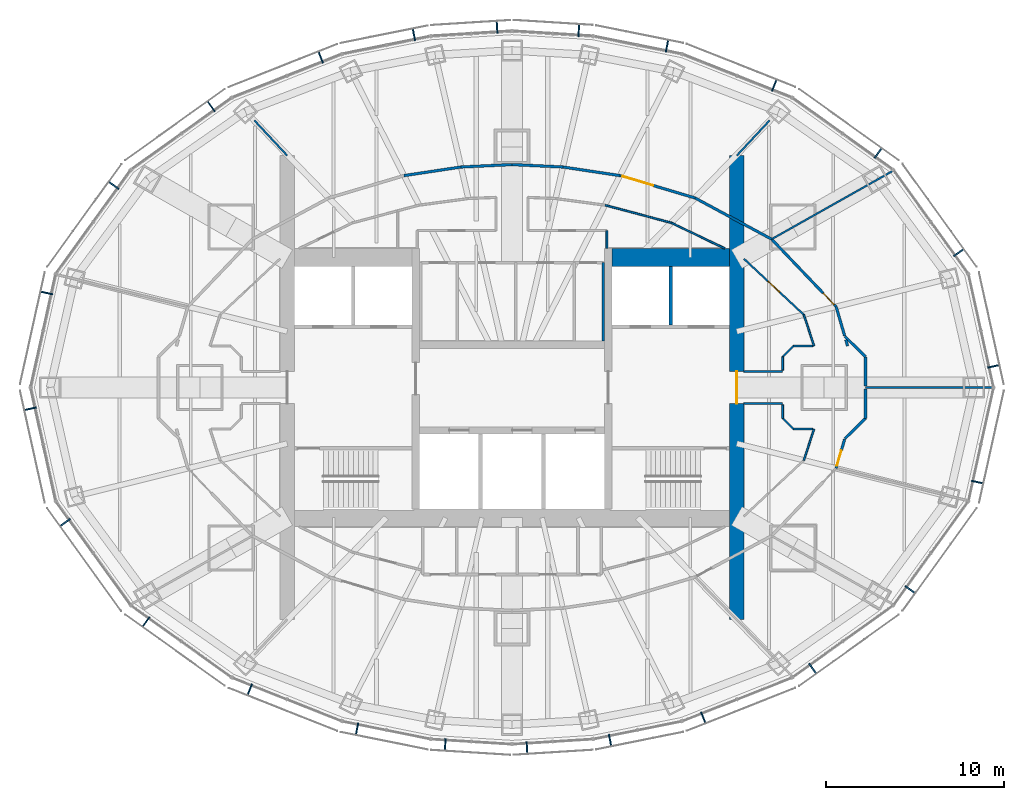
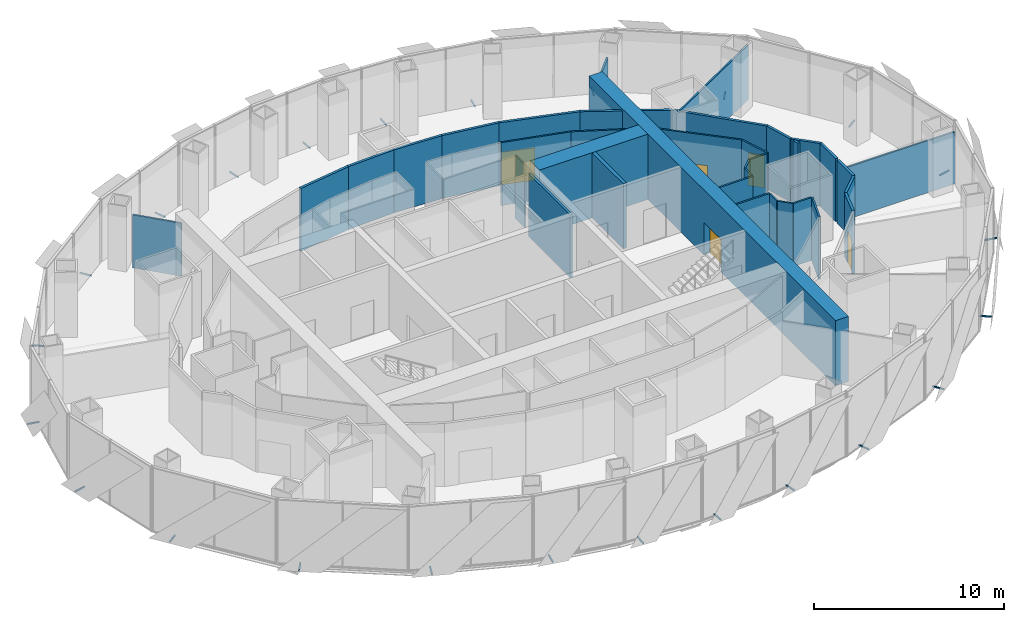
# One storey, part 14 of 17: 36 walls, 24 discrete accessories, 5 doors, 5 openings.
"""IFC4 building model written with IfcOpenShell, lengths in metres."""

from ifc_helpers import new_model, si_unit, direction, frame, frame_2d, origin, origin_2d, place, context, subcontext, project, spatial, rectangle, extrude, material, layer, layer_set, type_object, element, fill, save


model = new_model("IFC4")

# Units and contexts
model_context = context("Model", 3, precision=1e-05, world=origin(), true_north=direction((0.0, 1.0)))
body_context = subcontext(model_context, "Body", "Model", "MODEL_VIEW")
ifc_project = project(units=[si_unit("LENGTHUNIT", "METRE"), si_unit("AREAUNIT", "SQUARE_METRE"), si_unit("VOLUMEUNIT", "CUBIC_METRE"), si_unit("PLANEANGLEUNIT", "RADIAN"), si_unit("MASSUNIT", "GRAM", prefix="KILO")], contexts=[model_context])

# Site, building, storey
site_placement = place(None, origin())
site = spatial("IfcSite", under=ifc_project, at=site_placement, CompositionType="ELEMENT")
building_placement = place(site_placement, origin())
building = spatial("IfcBuilding", under=site, at=building_placement, Name="Lantaw Convention Tower", CompositionType="ELEMENT")
storey_placement = place(building_placement, frame((0.0, 0.0, 203.199951171875)))
storey = spatial("IfcBuildingStorey", under=building, at=storey_placement, Name="L47", CompositionType="ELEMENT", Elevation=203.199951171875)

# Wall
ifc_material_1 = material(Name="Concrete C60/75", Category="concrete")
ifc_layer_1 = layer(ifc_material_1, 1.0)
ifc_layer_set_1 = layer_set([ifc_layer_1], Name="Core wall 1000")
wall_type_1 = type_object("IfcWallType", Name="Core wall 1000", PredefinedType="SHEAR", material=ifc_layer_set_1)
wall_1_placement = place(storey_placement, frame((12.199951171875, 7.300048828125, 0.0), z_axis=(0.0, 0.0, 1.0), x_axis=(-1.0, 0.0, 0.0)))
element("IfcWall", 1, at=wall_1_placement, inside=storey, type_object=wall_type_1, Name="Core wall NE", PredefinedType="SHEAR", context=body_context, shape_type="SweptSolid", body=[
    extrude(rectangle(XDim=6.599853515625, YDim=1.0, at=frame_2d((3.2998046875, 0.0))), origin(), (0.0, 0.0, 1.0), 4.199951171875),
])

# Wall, opening, door
ifc_layer_2 = layer(ifc_material_1, 0.800048828125)
ifc_layer_set_2 = layer_set([ifc_layer_2], Name="Core wall 800")
wall_type_2 = type_object("IfcWallType", Name="Core wall 800", PredefinedType="SHEAR", material=ifc_layer_set_2)
wall_2_placement = place(storey_placement, frame((12.60009765625, -13.0, 0.0), z_axis=(0.0, 0.0, 1.0), x_axis=(0.0, 1.0, 0.0)))
wall_2 = element("IfcWall", 2, at=wall_2_placement, inside=storey, type_object=wall_type_2, Name="Core wall E", PredefinedType="SHEAR", context=body_context, shape_type="SweptSolid", body=[
    extrude(rectangle(XDim=26.0, YDim=0.800048828125, at=frame_2d((13.0, 0.0))), origin(), (0.0, 0.0, 1.0), 4.199951171875),
])
opening_1_placement = place(wall_2_placement, frame((12.10009765625, 0.0, 0.0)))
opening_1 = element("IfcOpeningElement", 3, at=opening_1_placement, cuts=wall_2, Name="Opening L47.05", PredefinedType="OPENING", context=body_context, shape_type="SweptSolid", body=[
    extrude(rectangle(XDim=1.800048828125, YDim=2.10009765625, at=frame_2d((0.89990234375, 1.050048828125))), frame((0.0, 0.409912109375, 0.0), z_axis=(0.0, -1.0, 0.0), x_axis=(1.0, 0.0, 0.0)), (0.0, 0.0, 1.0), 0.820068359375),
])
ifc_material_2 = material(Name="Steel, fire rated", Category="steel")
door_type_1 = type_object("IfcDoorType", Name="Lobby double door FD90", OperationType="DOUBLE_DOOR_DOUBLE_SWING", PredefinedType="DOOR", material=ifc_material_2)
door_1_placement = place(opening_1_placement, origin())
door_1 = element("IfcDoor", 4, at=door_1_placement, inside=storey, type_object=door_type_1, Name="Firefighting lobby door", OperationType="DOUBLE_DOOR_DOUBLE_SWING", OverallHeight=2.10009765625, OverallWidth=1.800048828125, PredefinedType="DOOR", context=body_context, shape_type="SweptSolid", body=[
    extrude(rectangle(XDim=1.800048828125, YDim=2.10009765625, at=frame_2d((0.89990234375, 1.050048828125))), frame((0.0, 0.02490234375, 0.0), z_axis=(0.0, -1.0, 0.0), x_axis=(1.0, 0.0, 0.0)), (0.0, 0.0, 1.0), 0.050048828125),
])
fill(opening_1, door_1)

ifc_material_3 = material(Name="Gypsum board on steel studs, fire rated", Category="steel")
ifc_layer_3 = layer(ifc_material_3, 0.14990234375)
ifc_layer_set_3 = layer_set([ifc_layer_3], Name="Corridor wall 150 EI 60")
wall_type_3 = type_object("IfcWallType", Name="Corridor wall 150 EI 60", PredefinedType="PARTITIONING", material=ifc_layer_set_3)
wall_3_placement = place(storey_placement, frame((18.173583984375, 4.53125, 0.0), z_axis=(0.0, 0.0, 1.0), x_axis=(-0.690768413292, 0.723076067366, 0.0)))
wall_3 = element("IfcWall", 5, at=wall_3_placement, inside=storey, type_object=wall_type_3, Name="Corridor wall 150", PredefinedType="PARTITIONING", context=body_context, shape_type="SweptSolid", body=[
    extrude(rectangle(XDim=5.23681640625, YDim=0.14990234375, at=frame_2d((2.618408203125, 0.0))), origin(), (0.0, 0.0, 1.0), 4.050048828125),
])
opening_2_placement = place(wall_3_placement, frame((0.14990234375, 0.0, 0.0)))
opening_2 = element("IfcOpeningElement", 6, at=opening_2_placement, cuts=wall_3, Name="Opening L47.31", PredefinedType="OPENING", context=body_context, shape_type="SweptSolid", body=[
    extrude(rectangle(XDim=0.89990234375, YDim=2.10009765625, at=frame_2d((0.449951171875, 1.050048828125))), frame((0.0, 0.0849609375, 0.0), z_axis=(0.0, -1.0, 0.0), x_axis=(1.0, 0.0, 0.0)), (0.0, 0.0, 1.0), 0.169921875),
])
door_type_2 = type_object("IfcDoorType", Name="Office door 900 FD30", OperationType="SINGLE_SWING_LEFT", PredefinedType="DOOR", material=ifc_material_2)
door_2_placement = place(opening_2_placement, origin())
door_2 = element("IfcDoor", 7, at=door_2_placement, inside=storey, type_object=door_type_2, Name="Reception door", OperationType="SINGLE_SWING_LEFT", OverallHeight=2.10009765625, OverallWidth=0.89990234375, PredefinedType="DOOR", context=body_context, shape_type="SweptSolid", body=[
    extrude(rectangle(XDim=0.89990234375, YDim=2.10009765625, at=frame_2d((0.449951171875, 1.050048828125))), frame((0.0, 0.02490234375, 0.0), z_axis=(0.0, -1.0, 0.0), x_axis=(1.0, 0.0, 0.0)), (0.0, 0.0, 1.0), 0.050048828125),
])
fill(opening_2, door_2)

# Wall
wall_4_placement = place(storey_placement, frame((14.55615234375, 8.31787109375, 0.0), z_axis=(0.0, 0.0, 1.0), x_axis=(-0.88053863253, 0.47397438393, 0.0)))
element("IfcWall", 8, at=wall_4_placement, inside=storey, type_object=wall_type_3, Name="Corridor wall 150", PredefinedType="PARTITIONING", context=body_context, shape_type="SweptSolid", body=[
    extrude(rectangle(XDim=4.874755859375, YDim=0.14990234375, at=frame_2d((2.4375, 0.0))), origin(), (0.0, 0.0, 1.0), 4.050048828125),
])

# Wall, opening, door
wall_5_placement = place(storey_placement, frame((10.263671875, 10.62841796875, 0.0), z_axis=(0.0, 0.0, 1.0), x_axis=(-0.958384389306, 0.285480931648, 0.0)))
wall_5 = element("IfcWall", 9, at=wall_5_placement, inside=storey, type_object=wall_type_3, Name="Corridor wall 150", PredefinedType="PARTITIONING", context=body_context, shape_type="SweptSolid", body=[
    extrude(rectangle(XDim=4.392333984375, YDim=0.14990234375, at=frame_2d((2.1962890625, 0.0))), origin(), (0.0, 0.0, 1.0), 4.050048828125),
])
opening_3_placement = place(wall_5_placement, frame((2.442138671875, 0.0, 0.0)))
opening_3 = element("IfcOpeningElement", 10, at=opening_3_placement, cuts=wall_5, Name="Opening L47.32", PredefinedType="OPENING", context=body_context, shape_type="SweptSolid", body=[
    extrude(rectangle(XDim=1.800048828125, YDim=2.10009765625, at=frame_2d((0.89990234375, 1.050048828125))), frame((0.0, 0.0849609375, 0.0), z_axis=(0.0, -1.0, 0.0), x_axis=(1.0, 0.0, 0.0)), (0.0, 0.0, 1.0), 0.169921875),
])
door_type_3 = type_object("IfcDoorType", Name="Office double door 1800 FD30", OperationType="DOUBLE_DOOR_DOUBLE_SWING", PredefinedType="DOOR", material=ifc_material_2)
door_3_placement = place(opening_3_placement, origin())
door_3 = element("IfcDoor", 11, at=door_3_placement, inside=storey, type_object=door_type_3, Name="Open office door", OperationType="DOUBLE_DOOR_DOUBLE_SWING", OverallHeight=2.10009765625, OverallWidth=1.800048828125, PredefinedType="DOOR", context=body_context, shape_type="SweptSolid", body=[
    extrude(rectangle(XDim=1.800048828125, YDim=2.10009765625, at=frame_2d((0.89990234375, 1.050048828125))), frame((0.0, 0.02490234375, 0.0), z_axis=(0.0, -1.0, 0.0), x_axis=(1.0, 0.0, 0.0)), (0.0, 0.0, 1.0), 0.050048828125),
])
fill(opening_3, door_3)

# Walls
wall_6_placement = place(storey_placement, frame((6.05419921875, 11.88232421875, 0.0), z_axis=(0.0, 0.0, 1.0), x_axis=(-0.988800347251, 0.149244340852, 0.0)))
element("IfcWall", 12, at=wall_6_placement, inside=storey, type_object=wall_type_3, Name="Corridor wall 150", PredefinedType="PARTITIONING", context=body_context, shape_type="SweptSolid", body=[
    extrude(rectangle(XDim=3.235595703125, YDim=0.14990234375, at=frame_2d((1.61767578125, 0.0))), origin(), (0.0, 0.0, 1.0), 4.050048828125),
])
for number, where, z_axis, x_axis, name in (
    (13, (2.854736328125, 12.365234375, 0.0), (0.0, 0.0, 1.0), (-0.998887574055, 0.047155216016, 0.0), "Corridor wall 150"),
    (14, (0.0, 12.5, 0.0), (0.0, 0.0, 1.0), (-0.998887574055, -0.047155216016, 0.0), "Corridor wall 150"),
):
    element("IfcWall", number, at=place(storey_placement, frame(where, z_axis=z_axis, x_axis=x_axis)), inside=storey, type_object=wall_type_3, Name=name, PredefinedType="PARTITIONING", context=body_context, shape_type="SweptSolid", body=[
        extrude(rectangle(XDim=2.85791015625, YDim=0.14990234375, at=frame_2d((1.428955078125, 0.0))), origin(), (0.0, 0.0, 1.0), 4.050048828125),
    ])
wall_7_placement = place(storey_placement, frame((-2.854736328125, 12.365234375, 0.0), z_axis=(0.0, 0.0, 1.0), x_axis=(-0.988800347251, -0.149244340852, 0.0)))
element("IfcWall", 15, at=wall_7_placement, inside=storey, type_object=wall_type_3, Name="Corridor wall 150", PredefinedType="PARTITIONING", context=body_context, shape_type="SweptSolid", body=[
    extrude(rectangle(XDim=3.235595703125, YDim=0.14990234375, at=frame_2d((1.61767578125, 0.0))), origin(), (0.0, 0.0, 1.0), 4.050048828125),
])
wall_8_placement = place(storey_placement, frame((18.653076171875, 2.893798828125, 0.0), z_axis=(0.0, 0.0, 1.0), x_axis=(-0.281027335084, 0.959699763955, 0.0)))
element("IfcWall", 16, at=wall_8_placement, inside=storey, type_object=wall_type_3, Name="Corridor wall 150", PredefinedType="PARTITIONING", context=body_context, shape_type="SweptSolid", body=[
    extrude(rectangle(XDim=1.706298828125, YDim=0.14990234375, at=frame_2d((0.85302734375, 0.0))), origin(), (0.0, 0.0, 1.0), 4.050048828125),
])

# Wall, opening, door
wall_9_placement = place(storey_placement, frame((18.173583984375, -4.53125, 0.0), z_axis=(0.0, 0.0, 1.0), x_axis=(0.281027335084, 0.959699763955, 0.0)))
wall_9 = element("IfcWall", 17, at=wall_9_placement, inside=storey, type_object=wall_type_3, Name="Corridor wall 150", PredefinedType="PARTITIONING", context=body_context, shape_type="SweptSolid", body=[
    extrude(rectangle(XDim=1.706298828125, YDim=0.14990234375, at=frame_2d((0.85302734375, 0.0))), origin(), (0.0, 0.0, 1.0), 4.050048828125),
])
opening_4_placement = place(wall_9_placement, frame((0.14990234375, 0.0, 0.0)))
opening_4 = element("IfcOpeningElement", 18, at=opening_4_placement, cuts=wall_9, Name="Opening L47.37", PredefinedType="OPENING", context=body_context, shape_type="SweptSolid", body=[
    extrude(rectangle(XDim=0.89990234375, YDim=2.10009765625, at=frame_2d((0.449951171875, 1.050048828125))), frame((0.0, 0.0849609375, 0.0), z_axis=(0.0, -1.0, 0.0), x_axis=(1.0, 0.0, 0.0)), (0.0, 0.0, 1.0), 0.169921875),
])
door_4_placement = place(opening_4_placement, origin())
door_4 = element("IfcDoor", 19, at=door_4_placement, inside=storey, type_object=door_type_2, Name="Meeting room door", OperationType="SINGLE_SWING_LEFT", OverallHeight=2.10009765625, OverallWidth=0.89990234375, PredefinedType="DOOR", context=body_context, shape_type="SweptSolid", body=[
    extrude(rectangle(XDim=0.89990234375, YDim=2.10009765625, at=frame_2d((0.449951171875, 1.050048828125))), frame((0.0, 0.02490234375, 0.0), z_axis=(0.0, -1.0, 0.0), x_axis=(1.0, 0.0, 0.0)), (0.0, 0.0, 1.0), 0.050048828125),
])
fill(opening_4, door_4)

# Walls
wall_10_placement = place(storey_placement, frame((18.666259765625, 2.866455078125, 0.0), z_axis=(0.0, 0.0, 1.0), x_axis=(0.712265481509, -0.701910167935, 0.0)))
element("IfcWall", 20, at=wall_10_placement, inside=storey, type_object=wall_type_3, Name="Corridor wall 150", PredefinedType="PARTITIONING", context=body_context, shape_type="SweptSolid", body=[
    extrude(rectangle(XDim=1.626708984375, YDim=0.14990234375, at=frame_2d((0.8134765625, 0.0))), origin(), (0.0, 0.0, 1.0), 4.050048828125),
])
for number, where, z_axis, x_axis, name in (
    (21, (19.824951171875, 1.724609375, 0.0), (0.0, 0.0, 1.0), (0.0, -1.0, 0.0), "Corridor wall 150"),
    (22, (19.824951171875, -0.078125, 0.0), (0.0, 0.0, 1.0), (0.0, -1.0, 0.0), "Corridor wall 150"),
):
    element("IfcWall", number, at=place(storey_placement, frame(where, z_axis=z_axis, x_axis=x_axis)), inside=storey, type_object=wall_type_3, Name=name, PredefinedType="PARTITIONING", context=body_context, shape_type="SweptSolid", body=[
        extrude(rectangle(XDim=1.646484375, YDim=0.14990234375, at=frame_2d((0.8232421875, 0.0))), origin(), (0.0, 0.0, 1.0), 4.050048828125),
    ])
wall_11_placement = place(storey_placement, frame((19.824951171875, -1.724609375, 0.0), z_axis=(0.0, 0.0, 1.0), x_axis=(-0.712265481509, -0.701910167935, 0.0)))
element("IfcWall", 23, at=wall_11_placement, inside=storey, type_object=wall_type_3, Name="Corridor wall 150", PredefinedType="PARTITIONING", context=body_context, shape_type="SweptSolid", body=[
    extrude(rectangle(XDim=1.626708984375, YDim=0.14990234375, at=frame_2d((0.8134765625, 0.0))), origin(), (0.0, 0.0, 1.0), 4.050048828125),
])
wall_12_placement = place(storey_placement, frame((18.819580078125, 2.324951171875, 0.0), z_axis=(0.0, 0.0, 1.0), x_axis=(-0.281366391393, 0.959600413607, 0.0)))
element("IfcWall", 24, at=wall_12_placement, inside=storey, type_object=wall_type_3, Name="Corridor wall 150", PredefinedType="PARTITIONING", context=body_context, shape_type="SweptSolid", body=[
    extrude(rectangle(XDim=0.363525390625, YDim=0.14990234375, at=frame_2d((0.181640625, 0.0))), origin(), (0.0, 0.0, 1.0), 4.050048828125),
])
ifc_material_4 = material(Name="Gypsum board on steel studs, acoustic", Category="steel")
ifc_layer_4 = layer(ifc_material_4, 0.10009765625)
ifc_layer_set_4 = layer_set([ifc_layer_4], Name="Office partition 100")
wall_type_4 = type_object("IfcWallType", Name="Office partition 100", PredefinedType="PARTITIONING", material=ifc_layer_set_4)
wall_13_placement = place(storey_placement, frame((21.3583984375, 12.149658203125, 0.0), z_axis=(0.0, 0.0, 1.0), x_axis=(-0.871273053995, -0.490798599614, 0.0)))
element("IfcWall", 25, at=wall_13_placement, inside=storey, type_object=wall_type_4, Name="Office partition 100", PredefinedType="PARTITIONING", context=body_context, shape_type="SweptSolid", body=[
    extrude(rectangle(XDim=7.80712890625, YDim=0.10009765625, at=frame_2d((3.903564453125, 0.0))), origin(), (0.0, 0.0, 1.0), 3.524169921875),
])

# Wall, opening, door
wall_14_placement = place(storey_placement, frame((13.0, 7.22216796875, 0.0), z_axis=(0.0, 0.0, 1.0), x_axis=(0.730651186567, -0.682750938167, 0.0)))
wall_14 = element("IfcWall", 26, at=wall_14_placement, inside=storey, type_object=wall_type_4, Name="Office partition 100", PredefinedType="PARTITIONING", context=body_context, shape_type="SweptSolid", body=[
    extrude(rectangle(XDim=4.6025390625, YDim=0.10009765625, at=frame_2d((2.30126953125, 0.0))), origin(), (0.0, 0.0, 1.0), 4.050048828125),
])
opening_5_placement = place(wall_14_placement, frame((1.851318359375, 0.0, 0.0)))
opening_5 = element("IfcOpeningElement", 27, at=opening_5_placement, cuts=wall_14, Name="Opening L47.26", PredefinedType="OPENING", context=body_context, shape_type="SweptSolid", body=[
    extrude(rectangle(XDim=0.89990234375, YDim=2.10009765625, at=frame_2d((0.449951171875, 1.050048828125))), frame((0.0, 0.06005859375, 0.0), z_axis=(0.0, -1.0, 0.0), x_axis=(1.0, 0.0, 0.0)), (0.0, 0.0, 1.0), 0.1201171875),
])
ifc_material_5 = material(Name="Timber", Category="wood")
door_type_4 = type_object("IfcDoorType", Name="Office door 900", OperationType="SINGLE_SWING_LEFT", PredefinedType="DOOR", material=ifc_material_5)
door_5_placement = place(opening_5_placement, origin())
door_5 = element("IfcDoor", 28, at=door_5_placement, inside=storey, type_object=door_type_4, Name="Copy and print room door", OperationType="SINGLE_SWING_LEFT", OverallHeight=2.10009765625, OverallWidth=0.89990234375, PredefinedType="DOOR", context=body_context, shape_type="SweptSolid", body=[
    extrude(rectangle(XDim=0.89990234375, YDim=2.10009765625, at=frame_2d((0.449951171875, 1.050048828125))), frame((0.0, 0.02490234375, 0.0), z_axis=(0.0, -1.0, 0.0), x_axis=(1.0, 0.0, 0.0)), (0.0, 0.0, 1.0), 0.050048828125),
])
fill(opening_5, door_5)

# Walls
wall_15_placement = place(storey_placement, frame((5.320068359375, 7.800048828125, 0.0), z_axis=(0.0, 0.0, 1.0), x_axis=(0.0, 1.0, 0.0)))
element("IfcWall", 29, at=wall_15_placement, inside=storey, type_object=wall_type_4, Name="Office partition 100", PredefinedType="PARTITIONING", context=body_context, shape_type="SweptSolid", body=[
    extrude(rectangle(XDim=1.0, YDim=0.10009765625, at=frame_2d((0.5, 0.0))), origin(), (0.0, 0.0, 1.0), 4.050048828125),
])
wall_16_placement = place(storey_placement, frame((5.21044921875, 10.225830078125, 0.0), z_axis=(0.0, 0.0, 1.0), x_axis=(0.966562200797, -0.256432275641, 0.0)))
element("IfcWall", 30, at=wall_16_placement, inside=storey, type_object=wall_type_4, Name="Office partition 100", PredefinedType="PARTITIONING", context=body_context, shape_type="SweptSolid", body=[
    extrude(rectangle(XDim=3.841552734375, YDim=0.10009765625, at=frame_2d((1.9208984375, 0.0))), origin(), (0.0, 0.0, 1.0), 4.050048828125),
])
wall_17_placement = place(storey_placement, frame((8.923583984375, 9.24072265625, 0.0), z_axis=(0.0, 0.0, 1.0), x_axis=(0.901553947207, -0.432666708073, 0.0)))
element("IfcWall", 31, at=wall_17_placement, inside=storey, type_object=wall_type_4, Name="Office partition 100", PredefinedType="PARTITIONING", context=body_context, shape_type="SweptSolid", body=[
    extrude(rectangle(XDim=3.329833984375, YDim=0.10009765625, at=frame_2d((1.6650390625, 0.0))), origin(), (0.0, 0.0, 1.0), 4.050048828125),
])
for number, where, z_axis, x_axis, name in (
    (32, (12.60009765625, 13.0, 0.0), (0.0, 0.0, 1.0), (0.682434118301, 0.730947107648, 0.0), "Office partition 100"),
    (33, (-12.60009765625, 13.0, 0.0), (0.0, 0.0, 1.0), (-0.682434118301, 0.730947107648, 0.0), "Office partition 100"),
):
    element("IfcWall", number, at=place(storey_placement, frame(where, z_axis=z_axis, x_axis=x_axis)), inside=storey, type_object=wall_type_4, Name=name, PredefinedType="PARTITIONING", context=body_context, shape_type="SweptSolid", body=[
        extrude(rectangle(XDim=2.702392578125, YDim=0.10009765625, at=frame_2d((1.35107421875, 0.0))), origin(), (0.0, 0.0, 1.0), 3.409912109375),
    ])
wall_18_placement = place(storey_placement, frame((26.944091796875, 0.0, 0.0), z_axis=(0.0, 0.0, 1.0), x_axis=(-1.0, 0.0, 0.0)))
element("IfcWall", 34, at=wall_18_placement, inside=storey, type_object=wall_type_4, Name="Office partition 100", PredefinedType="PARTITIONING", context=body_context, shape_type="SweptSolid", body=[
    extrude(rectangle(XDim=7.109130859375, YDim=0.10009765625, at=frame_2d((3.5546875, 0.0))), origin(), (0.0, 0.0, 1.0), 3.34912109375),
])
wall_19_placement = place(storey_placement, frame((13.0, -0.89990234375, 0.0), z_axis=(0.0, 0.0, 1.0), x_axis=(1.0, 0.0, 0.0)))
element("IfcWall", 35, at=wall_19_placement, inside=storey, type_object=wall_type_4, Name="Office partition 100", PredefinedType="PARTITIONING", context=body_context, shape_type="SweptSolid", body=[
    extrude(rectangle(XDim=2.1650390625, YDim=0.10009765625, at=frame_2d((1.08251953125, 0.0))), origin(), (0.0, 0.0, 1.0), 4.050048828125),
])
for number, where, z_axis, x_axis, name in (
    (36, (16.934814453125, -2.3349609375, 0.0), (0.0, 0.0, 1.0), (-0.311517212063, -0.950240509865, 0.0), "Office partition 100"),
    (37, (16.36279296875, 4.079833984375, 0.0), (0.0, 0.0, 1.0), (0.311517212063, -0.950240509865, 0.0), "Office partition 100"),
):
    element("IfcWall", number, at=place(storey_placement, frame(where, z_axis=z_axis, x_axis=x_axis)), inside=storey, type_object=wall_type_4, Name=name, PredefinedType="PARTITIONING", context=body_context, shape_type="SweptSolid", body=[
        extrude(rectangle(XDim=1.836181640625, YDim=0.10009765625, at=frame_2d((0.91796875, 0.0))), origin(), (0.0, 0.0, 1.0), 4.050048828125),
    ])
wall_20_placement = place(storey_placement, frame((15.1650390625, 0.89990234375, 0.0), z_axis=(0.0, 0.0, 1.0), x_axis=(-1.0, 0.0, 0.0)))
element("IfcWall", 38, at=wall_20_placement, inside=storey, type_object=wall_type_4, Name="Office partition 100", PredefinedType="PARTITIONING", context=body_context, shape_type="SweptSolid", body=[
    extrude(rectangle(XDim=2.1650390625, YDim=0.10009765625, at=frame_2d((1.08251953125, 0.0))), origin(), (0.0, 0.0, 1.0), 4.050048828125),
])
wall_21_placement = place(storey_placement, frame((16.853759765625, -2.324951171875, 0.0), z_axis=(0.0, 0.0, 1.0), x_axis=(-1.0, 0.0, 0.0)))
element("IfcWall", 39, at=wall_21_placement, inside=storey, type_object=wall_type_4, Name="Office partition 100", PredefinedType="PARTITIONING", context=body_context, shape_type="SweptSolid", body=[
    extrude(rectangle(XDim=1.078369140625, YDim=0.10009765625, at=frame_2d((0.5390625, 0.0))), origin(), (0.0, 0.0, 1.0), 4.050048828125),
])
wall_22_placement = place(storey_placement, frame((15.775390625, -2.324951171875, 0.0), z_axis=(0.0, 0.0, 1.0), x_axis=(-0.707106781187, 0.707106781187, 0.0)))
element("IfcWall", 40, at=wall_22_placement, inside=storey, type_object=wall_type_4, Name="Office partition 100", PredefinedType="PARTITIONING", context=body_context, shape_type="SweptSolid", body=[
    extrude(rectangle(XDim=0.84912109375, YDim=0.10009765625, at=frame_2d((0.424560546875, 0.0))), origin(), (0.0, 0.0, 1.0), 4.050048828125),
])
for number, where, z_axis, x_axis, name in (
    (41, (15.175048828125, -1.724609375, 0.0), (0.0, 0.0, 1.0), (0.0, 1.0, 0.0), "Office partition 100"),
    (42, (15.175048828125, 0.978271484375, 0.0), (0.0, 0.0, 1.0), (0.0, 1.0, 0.0), "Office partition 100"),
):
    element("IfcWall", number, at=place(storey_placement, frame(where, z_axis=z_axis, x_axis=x_axis)), inside=storey, type_object=wall_type_4, Name=name, PredefinedType="PARTITIONING", context=body_context, shape_type="SweptSolid", body=[
        extrude(rectangle(XDim=0.746337890625, YDim=0.10009765625, at=frame_2d((0.373046875, 0.0))), origin(), (0.0, 0.0, 1.0), 4.050048828125),
    ])
wall_23_placement = place(storey_placement, frame((15.175048828125, 1.724609375, 0.0), z_axis=(0.0, 0.0, 1.0), x_axis=(0.707106781187, 0.707106781187, 0.0)))
element("IfcWall", 43, at=wall_23_placement, inside=storey, type_object=wall_type_4, Name="Office partition 100", PredefinedType="PARTITIONING", context=body_context, shape_type="SweptSolid", body=[
    extrude(rectangle(XDim=0.84912109375, YDim=0.10009765625, at=frame_2d((0.424560546875, 0.0))), origin(), (0.0, 0.0, 1.0), 4.050048828125),
])
wall_24_placement = place(storey_placement, frame((15.775390625, 2.324951171875, 0.0), z_axis=(0.0, 0.0, 1.0), x_axis=(1.0, 0.0, 0.0)))
element("IfcWall", 44, at=wall_24_placement, inside=storey, type_object=wall_type_4, Name="Office partition 100", PredefinedType="PARTITIONING", context=body_context, shape_type="SweptSolid", body=[
    extrude(rectangle(XDim=1.078369140625, YDim=0.10009765625, at=frame_2d((0.5390625, 0.0))), origin(), (0.0, 0.0, 1.0), 4.050048828125),
])
ifc_material_6 = material(Name="Concrete blockwork, fire rated", Category="masonry")
ifc_layer_5 = layer(ifc_material_6, 0.199951171875)
ifc_layer_set_5 = layer_set([ifc_layer_5], Name="Shaft wall 200")
wall_type_5 = type_object("IfcWallType", Name="Shaft wall 200", PredefinedType="SOLIDWALL", material=ifc_layer_set_5)
wall_25_placement = place(storey_placement, frame((8.89990234375, 3.5, 0.0), z_axis=(0.0, 0.0, 1.0), x_axis=(0.0, 1.0, 0.0)))
element("IfcWall", 45, at=wall_25_placement, inside=storey, type_object=wall_type_5, Name="Shaft wall ED", PredefinedType="SOLIDWALL", context=body_context, shape_type="SweptSolid", body=[
    extrude(rectangle(XDim=3.300048828125, YDim=0.199951171875, at=frame_2d((1.64990234375, 0.0))), origin(), (0.0, 0.0, 1.0), 4.199951171875),
])
ifc_material_7 = material(Name="Concrete blockwork", Category="masonry")
ifc_layer_6 = layer(ifc_material_7, 0.14990234375)
ifc_layer_set_6 = layer_set([ifc_layer_6], Name="WC wall 150")
wall_type_6 = type_object("IfcWallType", Name="WC wall 150", PredefinedType="SOLIDWALL", material=ifc_layer_set_6)
wall_26_placement = place(storey_placement, frame((5.1201171875, 2.60009765625, 0.0), z_axis=(0.0, 0.0, 1.0), x_axis=(0.0, 1.0, 0.0)))
element("IfcWall", 46, at=wall_26_placement, inside=storey, type_object=wall_type_6, Name="WC wall 150", PredefinedType="SOLIDWALL", context=body_context, shape_type="SweptSolid", body=[
    extrude(rectangle(XDim=4.39990234375, YDim=0.14990234375, at=frame_2d((2.199951171875, 0.0))), origin(), (0.0, 0.0, 1.0), 4.050048828125),
])

# Discrete accessories
for number, where, z_axis, x_axis, name in (
    (47, (27.002197265625, 1.189453125, -0.114990234375), (0.0, 0.0, 1.0), (-0.215891333626, 0.976417396437, 0.0), "Screen bracket"),
    (48, (25.05419921875, 7.564453125, -0.114990234375), (0.0, 0.0, 1.0), (-0.585157643865, 0.810919559405, 0.0), "Screen bracket"),
    (49, (20.524169921875, 13.14453125, -0.114990234375), (0.0, 0.0, 1.0), (-0.813672540482, 0.581323487281, 0.0), "Screen bracket"),
    (50, (14.707763671875, 16.94140625, -0.114990234375), (0.0, 0.0, 1.0), (-0.929761533743, 0.368162315252, 0.0), "Screen bracket"),
    (51, (8.68896484375, 19.145751953125, -0.114990234375), (0.0, 0.0, 1.0), (-0.980366679695, 0.197183095987, 0.0), "Screen bracket"),
    (52, (3.743896484375, 20.024169921875, -0.114990234375), (0.0, 0.0, 1.0), (-0.998028774865, 0.062757983884, 0.0), "Screen bracket"),
    (53, (-0.83984375, 20.206787109375, -0.114990234375), (0.0, 0.0, 1.0), (-0.998028774865, -0.062757983884, 0.0), "Screen bracket"),
    (54, (-5.49853515625, 19.78759765625, -0.114990234375), (0.0, 0.0, 1.0), (-0.980366679695, -0.197183095987, 0.0), "Screen bracket"),
    (55, (-10.7255859375, 18.518310546875, -0.114990234375), (0.0, 0.0, 1.0), (-0.929761533743, -0.368162315252, 0.0), "Screen bracket"),
    (56, (-16.863525390625, 15.759765625, -0.114990234375), (0.0, 0.0, 1.0), (-0.813672540482, -0.581323487281, 0.0), "Screen bracket"),
    (57, (-22.333251953125, 11.3349609375, -0.114990234375), (0.0, 0.0, 1.0), (-0.585157643865, -0.810919559405, 0.0), "Screen bracket"),
    (58, (-26.0927734375, 5.302490234375, -0.114990234375), (0.0, 0.0, 1.0), (-0.215891333626, -0.976417396437, 0.0), "Screen bracket"),
    (59, (-27.002197265625, -1.189453125, -0.114990234375), (0.0, 0.0, 1.0), (0.215891333626, -0.976417396437, 0.0), "Screen bracket"),
    (60, (-25.05419921875, -7.564453125, -0.114990234375), (0.0, 0.0, 1.0), (0.585157643865, -0.810919559405, 0.0), "Screen bracket"),
    (61, (-20.524169921875, -13.14453125, -0.114990234375), (0.0, 0.0, 1.0), (0.813672540482, -0.581323487281, 0.0), "Screen bracket"),
    (62, (-14.707763671875, -16.94140625, -0.114990234375), (0.0, 0.0, 1.0), (0.929761533743, -0.368162315252, 0.0), "Screen bracket"),
    (63, (-8.68896484375, -19.145751953125, -0.114990234375), (0.0, 0.0, 1.0), (0.980366679695, -0.197183095987, 0.0), "Screen bracket"),
    (64, (-3.743896484375, -20.024169921875, -0.114990234375), (0.0, 0.0, 1.0), (0.998028774865, -0.062757983884, 0.0), "Screen bracket"),
    (65, (0.83984375, -20.206787109375, -0.114990234375), (0.0, 0.0, 1.0), (0.998028774865, 0.062757983884, 0.0), "Screen bracket"),
    (66, (5.49853515625, -19.78759765625, -0.114990234375), (0.0, 0.0, 1.0), (0.980366679695, 0.197183095987, 0.0), "Screen bracket"),
    (67, (10.7255859375, -18.518310546875, -0.114990234375), (0.0, 0.0, 1.0), (0.929761533743, 0.368162315252, 0.0), "Screen bracket"),
    (68, (16.863525390625, -15.759765625, -0.114990234375), (0.0, 0.0, 1.0), (0.813672540482, 0.581323487281, 0.0), "Screen bracket"),
    (69, (22.333251953125, -11.3349609375, -0.114990234375), (0.0, 0.0, 1.0), (0.585157643865, 0.810919559405, 0.0), "Screen bracket"),
    (70, (26.0927734375, -5.302490234375, -0.114990234375), (0.0, 0.0, 1.0), (0.215891333626, 0.976417396437, 0.0), "Screen bracket"),
):
    element("IfcDiscreteAccessory", number, at=place(storey_placement, frame(where, z_axis=z_axis, x_axis=x_axis)), inside=storey, Name=name, PredefinedType="BRACKET", context=body_context, shape_type="SweptSolid", body=[
        extrude(rectangle(XDim=0.080078125, YDim=0.68798828125, at=origin_2d()), origin(), (0.0, 0.0, 1.0), 0.080078125),
    ])

save(model, "model.ifc")
